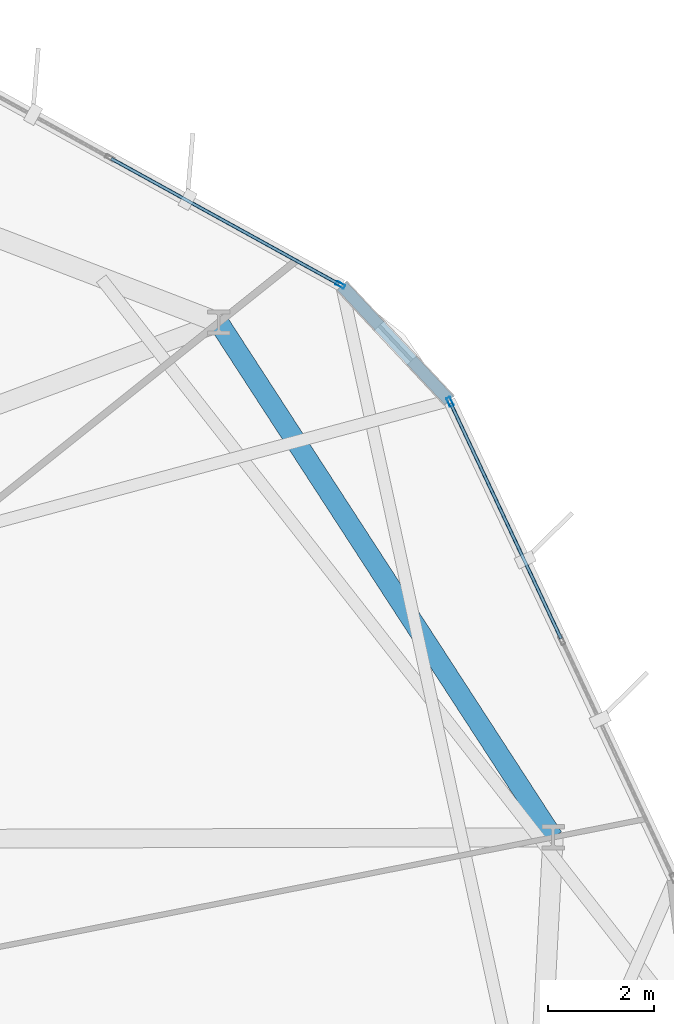
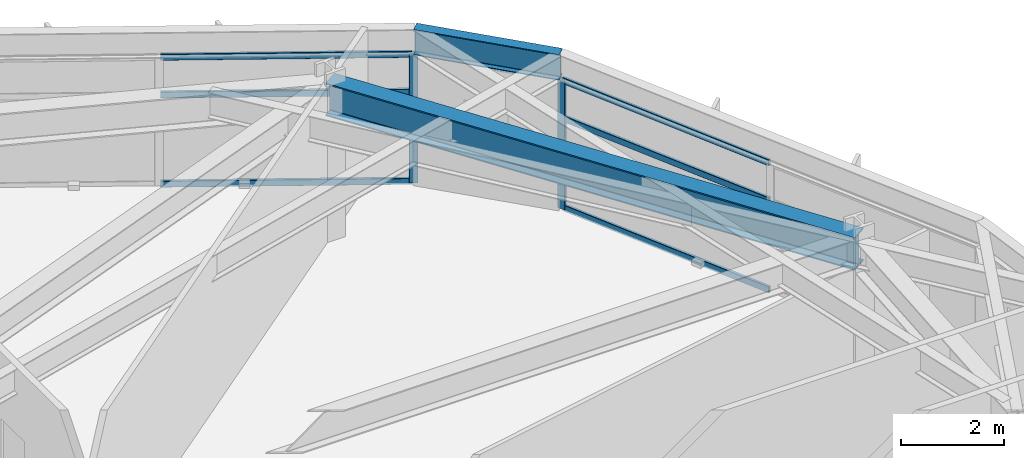
# One storey, part 14 of 22: 8 members, 2 beams, 2 elements without a shape of their own.
"""IFC4 building model written with IfcOpenShell, lengths in metres."""

import ifcopenshell
import ifcopenshell.guid

model = None  # the IFC model being written
_history = None  # IfcOwnerHistory: only IFC2X3 demands one
_inside = {}  # id of a spatial element -> (the spatial element, [elements in it])
_under = {}  # id of a project, library or spatial element -> (it, [spatial elements below it])
_declared = {}  # id of a project -> (the project, [libraries it declares])
_typed = {}  # id of a type object -> (the type object, [elements of that type])
_made_of = {}  # id of a material, layer set ... -> (it, [elements and type objects made of it])


def new_model(schema):
    """Start an empty IFC model of exactly this schema.

    Asked for "IFC4X3", IfcOpenShell would pick the latest addendum, in which some entities
    have other attributes; the version numbers below select the first issue.
    IFC2X3 requires an IfcOwnerHistory on every rooted entity: one is made here for all.
    """
    global model, _history
    if schema == "IFC4X3":
        model = ifcopenshell.file(schema_version=(4, 3, 0, 0))
    else:
        model = ifcopenshell.file(schema=schema)
    _inside.clear()
    _under.clear()
    _declared.clear()
    _typed.clear()
    _made_of.clear()
    _history = None
    if model.schema == "IFC2X3":
        org = make("IfcOrganization", Name="unknown")
        user = make(
            "IfcPersonAndOrganization",
            ThePerson=make("IfcPerson", FamilyName="unknown"),
            TheOrganization=org,
        )
        app = make(
            "IfcApplication",
            ApplicationDeveloper=org,
            Version="unknown",
            ApplicationFullName="unknown",
            ApplicationIdentifier="unknown",
        )
        _history = make(
            "IfcOwnerHistory",
            OwningUser=user,
            OwningApplication=app,
            ChangeAction="ADDED",
            CreationDate=0,
        )
    return model


def make(cls, **values):
    """One entity of the class cls with the attributes given. An attribute that is None is left unset."""
    return model.create_entity(
        cls, **{name: value for name, value in values.items() if value is not None}
    )


def rooted(cls, **values):
    """An entity with a GlobalId (a new one), such as an element, a storey or a relation."""
    return make(cls, GlobalId=ifcopenshell.guid.new(), OwnerHistory=_history, **values)


def si_unit(unit_type, name, prefix=None):
    """IfcSIUnit, for example si_unit("LENGTHUNIT", "METRE", prefix="MILLI")."""
    return make("IfcSIUnit", UnitType=unit_type, Prefix=prefix, Name=name)


def assignment(units):
    """IfcUnitAssignment: the units of a project."""
    return None if units is None else make("IfcUnitAssignment", Units=units)


def point(xyz):
    """IfcCartesianPoint."""
    return None if xyz is None else make("IfcCartesianPoint", Coordinates=xyz)


def direction(xyz):
    """IfcDirection."""
    return None if xyz is None else make("IfcDirection", DirectionRatios=xyz)


def frame(location, z_axis=None, x_axis=None):
    """IfcAxis2Placement3D, a coordinate frame: its origin and axes. An axis left out is left unset."""
    return make(
        "IfcAxis2Placement3D",
        Location=point(location),
        Axis=direction(z_axis),
        RefDirection=direction(x_axis),
    )


def frame_2d(location, x_axis=None):
    """IfcAxis2Placement2D, a coordinate frame in the plane: its origin and x axis."""
    return make(
        "IfcAxis2Placement2D", Location=point(location), RefDirection=direction(x_axis)
    )


def origin():
    """The frame at (0, 0, 0) with its axes left unset."""
    return frame((0.0, 0.0, 0.0))


def origin_2d():
    """The frame at (0, 0) in the plane with its x axis left unset."""
    return frame_2d((0.0, 0.0))


def place(relative_to, where):
    """IfcLocalPlacement: puts the frame where relative to a parent placement (None: the world)."""
    return make(
        "IfcLocalPlacement", PlacementRelTo=relative_to, RelativePlacement=where
    )


def context(
    kind, dimensions, precision=None, world=None, true_north=None, identifier=None
):
    """IfcGeometricRepresentationContext, for example the 3D "Model" context."""
    return make(
        "IfcGeometricRepresentationContext",
        ContextIdentifier=identifier,
        ContextType=kind,
        CoordinateSpaceDimension=dimensions,
        Precision=precision,
        WorldCoordinateSystem=world,
        TrueNorth=true_north,
    )


def subcontext(parent, identifier, kind, view, scale=None):
    """IfcGeometricRepresentationSubContext, for example "Body" below "Model"."""
    return make(
        "IfcGeometricRepresentationSubContext",
        ContextIdentifier=identifier,
        ContextType=kind,
        ParentContext=parent,
        TargetScale=scale,
        TargetView=view,
    )


def project(units=None, contexts=None):
    """IfcProject with its units and contexts."""
    return rooted(
        "IfcProject",
        Name="project",
        RepresentationContexts=contexts,
        UnitsInContext=assignment(units),
    )


def spatial(cls, under=None, at=None, **own):
    """A site, building, storey or space (cls), placed at a placement, below another one or the project."""
    s = rooted(cls, ObjectPlacement=at, **own)
    if under is not None:
        _under.setdefault(under.id(), (under, []))[1].append(s)
    return s


def profile(cls, at=None, kind="AREA", **sizes):
    """A parametric profile (cls). Its sizes go by their IFC names, for example OverallWidth=200.0."""
    return make(cls, ProfileType=kind, Position=at, **sizes)


def hollow_rectangle(**sizes):
    """IfcRectangleHollowProfileDef."""
    return profile("IfcRectangleHollowProfileDef", **sizes)


def i_section(**sizes):
    """IfcIShapeProfileDef."""
    return profile("IfcIShapeProfileDef", **sizes)


def extrude(swept, where, along, depth):
    """IfcExtrudedAreaSolid: the profile swept, set in the frame where, extruded along a direction by depth."""
    return make(
        "IfcExtrudedAreaSolid",
        SweptArea=swept,
        Position=where,
        ExtrudedDirection=direction(along),
        Depth=depth,
    )


def shape(context_of_items, identifier, shape_type, items):
    """IfcShapeRepresentation: the items that make up one representation, for example the "Body"."""
    return make(
        "IfcShapeRepresentation",
        ContextOfItems=context_of_items,
        RepresentationIdentifier=identifier,
        RepresentationType=shape_type,
        Items=items,
    )


def material(Name=None, Category=None):
    """IfcMaterial."""
    return make("IfcMaterial", Name=Name, Category=Category)


def layer(
    of_material, thickness, ventilated=None, Name=None, Category=None, Priority=None
):
    """IfcMaterialLayer: one layer of a wall or slab, of a material (None: an air gap)."""
    return make(
        "IfcMaterialLayer",
        Material=of_material,
        LayerThickness=thickness,
        IsVentilated=ventilated,
        Name=Name,
        Category=Category,
        Priority=Priority,
    )


def layer_set(layers, Name=None):
    """IfcMaterialLayerSet."""
    return make("IfcMaterialLayerSet", MaterialLayers=layers, LayerSetName=Name)


def material_profile(
    of_material, cross_section, Name=None, Category=None, Priority=None
):
    """IfcMaterialProfile: a cross section and its material."""
    return make(
        "IfcMaterialProfile",
        Name=Name,
        Material=of_material,
        Profile=cross_section,
        Priority=Priority,
        Category=Category,
    )


def profile_set(profiles, Name=None, composite=None):
    """IfcMaterialProfileSet."""
    return make(
        "IfcMaterialProfileSet",
        Name=Name,
        MaterialProfiles=profiles,
        CompositeProfile=composite,
    )


def made_of(thing, what):
    """Note that an element or type object is made of a material, layer set ...; save() writes the relation."""
    if what is not None:
        _made_of.setdefault(what.id(), (what, []))[1].append(thing)
    return thing


def type_object(cls, material=None, **own):
    """A type object (cls), such as IfcWallType, which elements share."""
    return made_of(rooted(cls, **own), material)


def element(
    cls,
    number,
    at=None,
    inside=None,
    cuts=None,
    type_object=None,
    material=None,
    context=None,
    identifier="Body",
    shape_type=None,
    held_by="IfcProductDefinitionShape",
    body=None,
    shapes=None,
    **own,
):
    """One element of the class cls, such as IfcWall. Its Tag is "e" and its number.

    at: its placement. inside: the storey or other place that contains it. cuts: it is an
    opening in that element (IfcRelVoidsElement). A single representation is given by context,
    identifier, shape_type and body (its items); several are given by shapes. held_by: the class
    of the entity that holds the representations. save() writes the other relations.
    """
    e = rooted(cls, Tag="e%d" % number, ObjectPlacement=at, **own)
    if body is not None:
        shapes = [shape(context, identifier, shape_type, body)]
    if shapes is not None:
        e.Representation = make(held_by, Representations=shapes)
    if inside is not None:
        _inside.setdefault(inside.id(), (inside, []))[1].append(e)
    if cuts is not None:
        rooted(
            "IfcRelVoidsElement", RelatingBuildingElement=cuts, RelatedOpeningElement=e
        )
    if type_object is not None:
        _typed.setdefault(type_object.id(), (type_object, []))[1].append(e)
    return made_of(e, material)


def aggregate(whole, parts):
    """IfcRelAggregates: a whole, such as a stair, and the parts it consists of."""
    return rooted("IfcRelAggregates", RelatingObject=whole, RelatedObjects=parts)


def save(model, path):
    """Write the relations noted so far, then the file.

    IfcRelAggregates (storeys below a building ...), IfcRelContainedInSpatialStructure (elements
    in a storey), IfcRelDefinesByType, IfcRelAssociatesMaterial and IfcRelDeclares: one each for
    every whole, place, type object, material and project.
    """
    for whole, parts in _under.values():
        aggregate(whole, parts)
    for where, things in _inside.values():
        rooted(
            "IfcRelContainedInSpatialStructure",
            RelatedElements=things,
            RelatingStructure=where,
        )
    for kind, things in _typed.values():
        rooted("IfcRelDefinesByType", RelatedObjects=things, RelatingType=kind)
    for what, things in _made_of.values():
        rooted("IfcRelAssociatesMaterial", RelatedObjects=things, RelatingMaterial=what)
    for by, libraries in _declared.values():
        rooted("IfcRelDeclares", RelatingContext=by, RelatedDefinitions=libraries)
    model.write(path)


model = new_model("IFC4")

# Units and contexts
model_context = context("Model", 3, precision=1e-05, world=origin(), true_north=direction((0.0, 1.0)))
body_context = subcontext(model_context, "Body", "Model", "MODEL_VIEW")
ifc_project = project(units=[si_unit("LENGTHUNIT", "METRE"), si_unit("AREAUNIT", "SQUARE_METRE"), si_unit("VOLUMEUNIT", "CUBIC_METRE"), si_unit("PLANEANGLEUNIT", "RADIAN"), si_unit("MASSUNIT", "GRAM", prefix="KILO")], contexts=[model_context])

# Site, building, storey
site_placement = place(None, origin())
site = spatial("IfcSite", under=ifc_project, at=site_placement, CompositionType="ELEMENT")
building_placement = place(site_placement, origin())
building = spatial("IfcBuilding", under=site, at=building_placement, Name="Soratama Intermodal Tower", CompositionType="ELEMENT")
storey_placement = place(building_placement, frame((0.0, 0.0, 54.60009765625)))
storey = spatial("IfcBuildingStorey", under=building, at=storey_placement, Name="L12", CompositionType="ELEMENT", Elevation=54.60009765625)

# Beams
ifc_material_1 = material(Name="Structural steel ASTM A992 Grade 50", Category="steel")
ifc_material_profile_1 = material_profile(ifc_material_1, i_section(OverallWidth=0.382080078125, OverallDepth=0.779052734375, WebThickness=0.01806640625, FlangeThickness=0.030029296875, FilletRadius=0.01806640625, at=origin_2d()), Name="W30X191")
ifc_profile_set_1 = profile_set([ifc_material_profile_1], Name="Structural steel ASTM A992 Grade 50")
beam_type_1 = type_object("IfcBeamType", Name="BM-RING-W30X191", PredefinedType="BEAM", material=ifc_profile_set_1)
beam_1_placement = place(storey_placement, frame((63.08203125, 29.844970703125, 3.310302734375), z_axis=(-0.544623370352, 0.838680740489, 0.0), x_axis=(-0.838680740489, -0.544623370352, 0.0)))
element("IfcBeam", 1, at=beam_1_placement, inside=storey, type_object=beam_type_1, Name="BM-L12-RING-01", PredefinedType="BEAM", context=body_context, shape_type="SweptSolid", body=[
    extrude(i_section(OverallWidth=0.382080078125, OverallDepth=0.779052734375, WebThickness=0.01806640625, FlangeThickness=0.030029296875, FilletRadius=0.01806640625, at=origin_2d()), origin(), (0.0, 0.0, 1.0), 11.569580078125),
])
ifc_material_2 = material(Name="Structural steel ASTM A992 Grade 50", Category="steel")
ifc_material_profile_2 = material_profile(ifc_material_2, i_section(OverallWidth=0.22900390625, OverallDepth=0.612060546875, WebThickness=0.011962890625, FlangeThickness=0.01953125, FilletRadius=0.012939453125, at=origin_2d()), Name="W24X84")
ifc_profile_set_2 = profile_set([ifc_material_profile_2], Name="Structural steel ASTM A992 Grade 50")
beam_type_2 = type_object("IfcBeamType", Name="BM-SPN-W24X84", PredefinedType="SPANDREL", material=ifc_profile_set_2)
beam_2_placement = place(storey_placement, frame((61.126953125, 38.080078125, 3.393798828125), z_axis=(-0.683601579892, 0.729855382914, 0.0), x_axis=(-0.729855382914, -0.683601579892, 0.0)))
element("IfcBeam", 2, at=beam_2_placement, inside=storey, type_object=beam_type_2, Name="BS-L12-CRN01", PredefinedType="SPANDREL", context=body_context, shape_type="SweptSolid", body=[
    extrude(i_section(OverallWidth=0.22900390625, OverallDepth=0.612060546875, WebThickness=0.011962890625, FlangeThickness=0.01953125, FilletRadius=0.012939453125, at=origin_2d()), origin(), (0.0, 0.0, 1.0), 2.96630859375),
])

# Curtain wall, member
ifc_material_3 = material(Name="Double-glazed aluminium curtain wall", Category="aluminium")
ifc_layer = layer(ifc_material_3, 0.159912109375)
ifc_layer_set = layer_set([ifc_layer], Name="Double-glazed aluminium curtain wall")
curtain_wall_type = type_object("IfcCurtainWallType", Name="CW-SYS-2", PredefinedType="NOTDEFINED", material=ifc_layer_set)
curtain_wall_1_placement = place(storey_placement, origin())
curtain_wall_1 = element("IfcCurtainWall", 3, at=curtain_wall_1_placement, inside=storey, type_object=curtain_wall_type, Name="L12 Faceted Curtain Wall F01", PredefinedType="NOTDEFINED")
ifc_material_4 = material(Name="Anodised aluminium AA 6063-T6", Category="aluminium")
ifc_material_profile_3 = material_profile(ifc_material_4, hollow_rectangle(XDim=0.074951171875, YDim=0.179931640625, WallThickness=0.006103515625, InnerFilletRadius=0.006103515625, OuterFilletRadius=0.011962890625, at=origin_2d()), Name="CWM180X75X6")
ifc_profile_set_3 = profile_set([ifc_material_profile_3], Name="Anodised aluminium AA 6063-T6")
member_type_1 = type_object("IfcMemberType", Name="MT-CWM-2", PredefinedType="MULLION", material=ifc_profile_set_3)
member_1_placement = place(storey_placement, frame((61.139892578125, 38.052734375, 0.0), z_axis=(0.0, 0.0, 1.0), x_axis=(-0.905273754892, -0.424828705132, 0.0)))
member_1 = element("IfcMember", 4, at=member_1_placement, type_object=member_type_1, Name="CW-2 mullion 3", PredefinedType="MULLION", context=body_context, shape_type="SweptSolid", body=[
    extrude(hollow_rectangle(XDim=0.074951171875, YDim=0.179931640625, WallThickness=0.006103515625, InnerFilletRadius=0.006103515625, OuterFilletRadius=0.011962890625, at=origin_2d()), origin(), (0.0, 0.0, 1.0), 3.078857421875),
])

curtain_wall_2_placement = place(storey_placement, origin())
curtain_wall_2 = element("IfcCurtainWall", 5, at=curtain_wall_2_placement, inside=storey, type_object=curtain_wall_type, Name="L12 Faceted Curtain Wall F02", PredefinedType="NOTDEFINED")
member_2_placement = place(storey_placement, frame((59.072509765625, 40.259033203125, 0.0), z_axis=(0.0, 0.0, 1.0), x_axis=(-0.482677542899, -0.875798144313, 0.0)))
member_2 = element("IfcMember", 6, at=member_2_placement, type_object=member_type_1, Name="CW-2 mullion 1", PredefinedType="MULLION", context=body_context, shape_type="SweptSolid", body=[
    extrude(hollow_rectangle(XDim=0.074951171875, YDim=0.179931640625, WallThickness=0.006103515625, InnerFilletRadius=0.006103515625, OuterFilletRadius=0.011962890625, at=origin_2d()), origin(), (0.0, 0.0, 1.0), 3.078857421875),
])

# Member
ifc_material_5 = material(Name="Anodised aluminium AA 6063-T6", Category="aluminium")
ifc_material_profile_4 = material_profile(ifc_material_5, hollow_rectangle(XDim=0.06494140625, YDim=0.14990234375, WallThickness=0.0048828125, InnerFilletRadius=0.0048828125, OuterFilletRadius=0.010009765625, at=origin_2d()), Name="CWT150X65X5")
ifc_profile_set_4 = profile_set([ifc_material_profile_4], Name="Anodised aluminium AA 6063-T6")
member_type_2 = type_object("IfcMemberType", Name="TT-CWT-1", PredefinedType="USERDEFINED", material=ifc_profile_set_4)
member_3_placement = place(storey_placement, frame((63.234130859375, 33.590087890625, 0.02978515625), z_axis=(-0.424832138709, 0.905272143568, 0.0), x_axis=(-0.905272143568, -0.424832138709, 0.0)))
member_3 = element("IfcMember", 7, at=member_3_placement, type_object=member_type_2, Name="CW-2 transom 2.1", ObjectType="TRANSOM", PredefinedType="USERDEFINED", context=body_context, shape_type="SweptSolid", body=[
    extrude(hollow_rectangle(XDim=0.06494140625, YDim=0.14990234375, WallThickness=0.0048828125, InnerFilletRadius=0.0048828125, OuterFilletRadius=0.010009765625, at=origin_2d()), origin(), (0.0, 0.0, 1.0), 4.899658203125),
])

member_4_placement = place(storey_placement, frame((63.234130859375, 33.590087890625, 2.14990234375), z_axis=(-0.424832138709, 0.905272143568, 0.0), x_axis=(-0.905272143568, -0.424832138709, 0.0)))
member_4 = element("IfcMember", 8, at=member_4_placement, type_object=member_type_2, Name="CW-2 transom 2.2", ObjectType="TRANSOM", PredefinedType="USERDEFINED", context=body_context, shape_type="SweptSolid", body=[
    extrude(hollow_rectangle(XDim=0.06494140625, YDim=0.14990234375, WallThickness=0.0048828125, InnerFilletRadius=0.0048828125, OuterFilletRadius=0.010009765625, at=origin_2d()), origin(), (0.0, 0.0, 1.0), 4.899658203125),
])

member_5_placement = place(storey_placement, frame((63.234130859375, 33.590087890625, 3.048828125), z_axis=(-0.424832138709, 0.905272143568, 0.0), x_axis=(-0.905272143568, -0.424832138709, 0.0)))
member_5 = element("IfcMember", 9, at=member_5_placement, type_object=member_type_2, Name="CW-2 transom 2.3", ObjectType="TRANSOM", PredefinedType="USERDEFINED", context=body_context, shape_type="SweptSolid", body=[
    extrude(hollow_rectangle(XDim=0.06494140625, YDim=0.14990234375, WallThickness=0.0048828125, InnerFilletRadius=0.0048828125, OuterFilletRadius=0.010009765625, at=origin_2d()), origin(), (0.0, 0.0, 1.0), 4.899658203125),
])

aggregate(curtain_wall_1, [member_1, member_3, member_4, member_5])

member_6_placement = place(storey_placement, frame((59.046142578125, 40.2734375, 0.02978515625), z_axis=(-0.875790540889, 0.482691338734, 0.0), x_axis=(-0.482691338734, -0.875790540889, 0.0)))
member_6 = element("IfcMember", 10, at=member_6_placement, type_object=member_type_2, Name="CW-2 transom 1.1", ObjectType="TRANSOM", PredefinedType="USERDEFINED", context=body_context, shape_type="SweptSolid", body=[
    extrude(hollow_rectangle(XDim=0.06494140625, YDim=0.14990234375, WallThickness=0.0048828125, InnerFilletRadius=0.0048828125, OuterFilletRadius=0.010009765625, at=origin_2d()), origin(), (0.0, 0.0, 1.0), 4.899658203125),
])

member_7_placement = place(storey_placement, frame((59.046142578125, 40.2734375, 2.14990234375), z_axis=(-0.875790540889, 0.482691338734, 0.0), x_axis=(-0.482691338734, -0.875790540889, 0.0)))
member_7 = element("IfcMember", 11, at=member_7_placement, type_object=member_type_2, Name="CW-2 transom 1.2", ObjectType="TRANSOM", PredefinedType="USERDEFINED", context=body_context, shape_type="SweptSolid", body=[
    extrude(hollow_rectangle(XDim=0.06494140625, YDim=0.14990234375, WallThickness=0.0048828125, InnerFilletRadius=0.0048828125, OuterFilletRadius=0.010009765625, at=origin_2d()), origin(), (0.0, 0.0, 1.0), 4.899658203125),
])

member_8_placement = place(storey_placement, frame((59.046142578125, 40.2734375, 3.048828125), z_axis=(-0.875790540889, 0.482691338734, 0.0), x_axis=(-0.482691338734, -0.875790540889, 0.0)))
member_8 = element("IfcMember", 12, at=member_8_placement, type_object=member_type_2, Name="CW-2 transom 1.3", ObjectType="TRANSOM", PredefinedType="USERDEFINED", context=body_context, shape_type="SweptSolid", body=[
    extrude(hollow_rectangle(XDim=0.06494140625, YDim=0.14990234375, WallThickness=0.0048828125, InnerFilletRadius=0.0048828125, OuterFilletRadius=0.010009765625, at=origin_2d()), origin(), (0.0, 0.0, 1.0), 4.899658203125),
])

aggregate(curtain_wall_2, [member_2, member_6, member_7, member_8])

save(model, "model.ifc")
